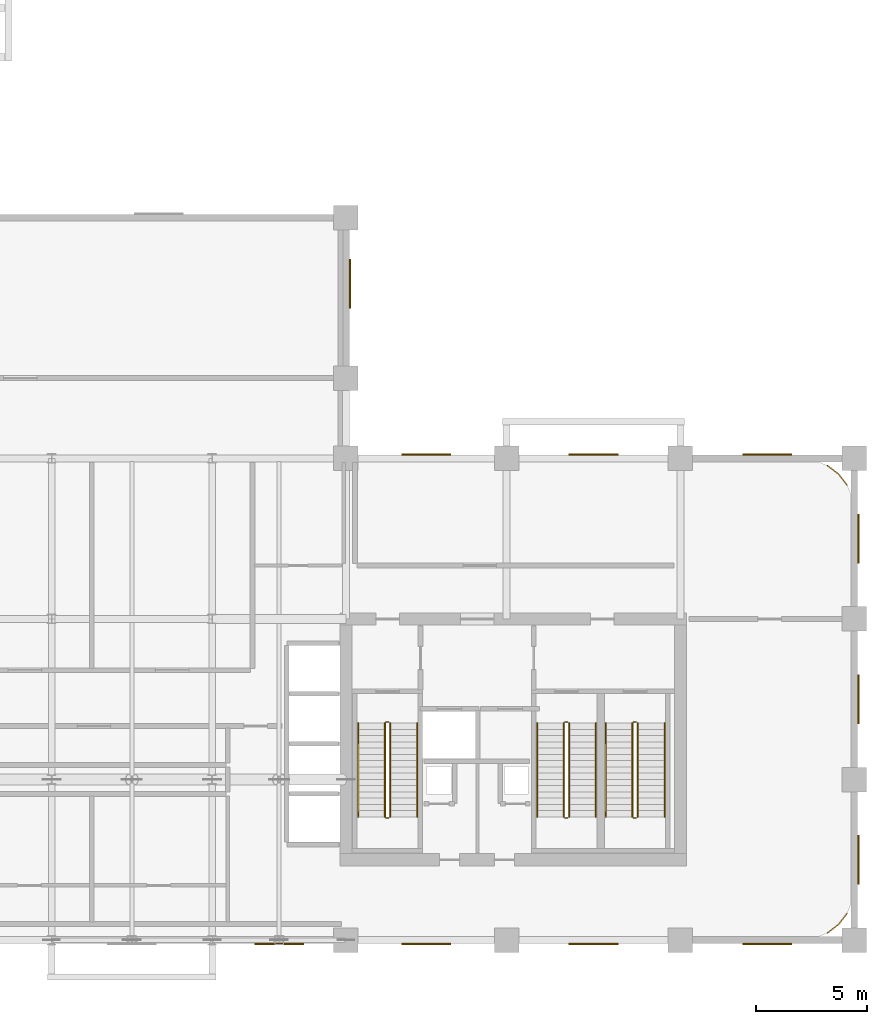
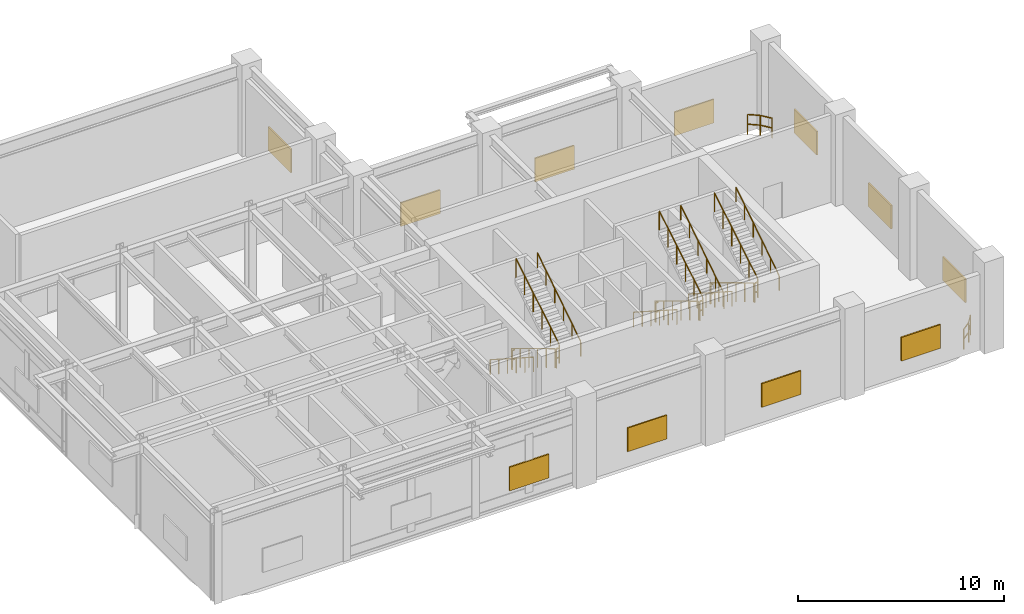
# One storey, part 11 of 12: 20 railings, 11 shading devices.
"""IFC4 building model written with IfcOpenShell, lengths in metres."""

from ifc_helpers import new_model, si_unit, derived_unit, direction, frame, origin, origin_2d, place, context, subcontext, project, spatial, rectangle, extrude, source, transform, mapped, material, layer, layer_set, type_object, type_shapes, element, save


model = new_model("IFC4")

# Units and contexts
model_context = context("Model", 3, precision=1e-05, world=origin(), true_north=direction((0.0, 1.0)))
body_context = subcontext(model_context, "Body", "Model", "MODEL_VIEW")
ifc_project = project(units=[si_unit("LENGTHUNIT", "METRE"), si_unit("AREAUNIT", "SQUARE_METRE"), si_unit("VOLUMEUNIT", "CUBIC_METRE"), si_unit("PLANEANGLEUNIT", "RADIAN"), si_unit("MASSUNIT", "GRAM", prefix="KILO"), si_unit("THERMODYNAMICTEMPERATUREUNIT", "KELVIN"), si_unit("POWERUNIT", "WATT"), derived_unit("THERMALTRANSMITTANCEUNIT", [(si_unit("POWERUNIT", "WATT"), 1), (si_unit("AREAUNIT", "SQUARE_METRE"), -1), (si_unit("THERMODYNAMICTEMPERATUREUNIT", "KELVIN"), -1)])], contexts=[model_context])

# Site, building, storey
site_placement = place(None, origin())
site = spatial("IfcSite", under=ifc_project, at=site_placement, CompositionType="ELEMENT")
building_placement = place(site_placement, origin())
building = spatial("IfcBuilding", under=site, at=building_placement, Name="Zahravan Archway Hotel and Residences", CompositionType="ELEMENT")
storey_placement = place(building_placement, frame((0.0, 0.0, 106.39990234375)))
storey = spatial("IfcBuildingStorey", under=building, at=storey_placement, Name="L26", CompositionType="ELEMENT", Elevation=106.39990234375)

# Railings
ifc_material_1 = material(Name="Painted Tubular Steel", Category="steel")
railing_type_1 = type_object("IfcRailingType", Name="RL-STG-1150", PredefinedType="GUARDRAIL", material=ifc_material_1)
railing_1_placement = place(storey_placement, frame((36.550048828125, 9.72998046875, 0.1689453125)))
element("IfcRailing", 1, at=railing_1_placement, inside=storey, type_object=railing_type_1, Name="L26 ST-A1 stair guard 1", PredefinedType="GUARDRAIL", context=body_context, shape_type="SweptSolid", body=[
    extrude(rectangle(XDim=0.048095703125, YDim=0.048095703125, at=origin_2d()), frame((0.0, 0.0, 1.1259765625), z_axis=(0.0, -0.856476492594, 0.516186030065), x_axis=(1.0, 0.0, 0.0)), (0.0, 0.0, 1.0), 4.90380859375),
    extrude(rectangle(XDim=0.0419921875, YDim=0.0419921875, at=origin_2d()), origin(), (0.0, 0.0, 1.0), 1.101806640625),
    extrude(rectangle(XDim=0.0419921875, YDim=0.0419921875, at=origin_2d()), frame((0.0, -0.840087890625, 0.50634765625)), (0.0, 0.0, 1.0), 1.101806640625),
    extrude(rectangle(XDim=0.0419921875, YDim=0.0419921875, at=origin_2d()), frame((0.0, -1.679931640625, 1.012451171875)), (0.0, 0.0, 1.0), 1.101806640625),
    extrude(rectangle(XDim=0.0419921875, YDim=0.0419921875, at=origin_2d()), frame((0.0, -2.52001953125, 1.518798828125)), (0.0, 0.0, 1.0), 1.101806640625),
    extrude(rectangle(XDim=0.0419921875, YDim=0.0419921875, at=origin_2d()), frame((0.0, -3.35986328125, 2.02490234375)), (0.0, 0.0, 1.0), 1.101806640625),
    extrude(rectangle(XDim=0.0419921875, YDim=0.0419921875, at=origin_2d()), frame((0.0, -4.199951171875, 2.53125)), (0.0, 0.0, 1.0), 1.101806640625),
])
railing_2_placement = place(storey_placement, frame((36.60009765625, 5.47998046875, 2.7001953125)))
element("IfcRailing", 2, at=railing_2_placement, inside=storey, type_object=railing_type_1, Name="L26 ST-A1 stair guard 2", PredefinedType="GUARDRAIL", context=body_context, shape_type="SweptSolid", body=[
    extrude(rectangle(XDim=0.048095703125, YDim=0.048095703125, at=origin_2d()), frame((0.0, 0.0, 1.1259765625), z_axis=(1.0, 0.0, 0.0), x_axis=(0.0, 1.0, 0.0)), (0.0, 0.0, 1.0), 0.139892578125),
    extrude(rectangle(XDim=0.048095703125, YDim=0.048095703125, at=origin_2d()), frame((0.0, 0.0, 0.574951171875), z_axis=(1.0, 0.0, 0.0), x_axis=(0.0, 1.0, 0.0)), (0.0, 0.0, 1.0), 0.139892578125),
    extrude(rectangle(XDim=0.0419921875, YDim=0.0419921875, at=origin_2d()), origin(), (0.0, 0.0, 1.0), 1.101806640625),
])
railing_3_placement = place(storey_placement, frame((36.7900390625, 5.530029296875, 2.868896484375)))
element("IfcRailing", 3, at=railing_3_placement, inside=storey, type_object=railing_type_1, Name="L26 ST-A1 stair guard 3", PredefinedType="GUARDRAIL", context=body_context, shape_type="SweptSolid", body=[
    extrude(rectangle(XDim=0.048095703125, YDim=0.048095703125, at=origin_2d()), frame((0.0, 0.0, 1.1259765625), z_axis=(0.0, 0.856476492594, 0.516186030065), x_axis=(-1.0, 0.0, 0.0)), (0.0, 0.0, 1.0), 4.90380859375),
    extrude(rectangle(XDim=0.0419921875, YDim=0.0419921875, at=origin_2d()), origin(), (0.0, 0.0, 1.0), 1.101806640625),
    extrude(rectangle(XDim=0.0419921875, YDim=0.0419921875, at=origin_2d()), frame((0.0, 0.840087890625, 0.50634765625)), (0.0, 0.0, 1.0), 1.101806640625),
    extrude(rectangle(XDim=0.0419921875, YDim=0.0419921875, at=origin_2d()), frame((0.0, 1.679931640625, 1.012451171875)), (0.0, 0.0, 1.0), 1.101806640625),
    extrude(rectangle(XDim=0.0419921875, YDim=0.0419921875, at=origin_2d()), frame((0.0, 2.52001953125, 1.518798828125)), (0.0, 0.0, 1.0), 1.101806640625),
    extrude(rectangle(XDim=0.0419921875, YDim=0.0419921875, at=origin_2d()), frame((0.0, 3.35986328125, 2.02490234375)), (0.0, 0.0, 1.0), 1.101806640625),
    extrude(rectangle(XDim=0.0419921875, YDim=0.0419921875, at=origin_2d()), frame((0.0, 4.199951171875, 2.53125)), (0.0, 0.0, 1.0), 1.101806640625),
])
railing_4_placement = place(storey_placement, frame((36.60009765625, 9.780029296875, 0.0)))
element("IfcRailing", 4, at=railing_4_placement, inside=storey, type_object=railing_type_1, Name="L26 ST-A1 stair guard 4", PredefinedType="GUARDRAIL", context=body_context, shape_type="SweptSolid", body=[
    extrude(rectangle(XDim=0.048095703125, YDim=0.048095703125, at=origin_2d()), frame((0.0, 0.0, 1.1259765625), z_axis=(1.0, 0.0, 0.0), x_axis=(0.0, 1.0, 0.0)), (0.0, 0.0, 1.0), 0.139892578125),
    extrude(rectangle(XDim=0.048095703125, YDim=0.048095703125, at=origin_2d()), frame((0.0, 0.0, 0.574951171875), z_axis=(1.0, 0.0, 0.0), x_axis=(0.0, 1.0, 0.0)), (0.0, 0.0, 1.0), 0.139892578125),
    extrude(rectangle(XDim=0.0419921875, YDim=0.0419921875, at=origin_2d()), origin(), (0.0, 0.0, 1.0), 1.101806640625),
])
railing_5_placement = place(storey_placement, frame((44.570068359375, 9.72998046875, 0.1689453125)))
element("IfcRailing", 5, at=railing_5_placement, inside=storey, type_object=railing_type_1, Name="L26 ST-A2 stair guard 1", PredefinedType="GUARDRAIL", context=body_context, shape_type="SweptSolid", body=[
    extrude(rectangle(XDim=0.048095703125, YDim=0.048095703125, at=origin_2d()), frame((0.0, 0.0, 1.1259765625), z_axis=(0.0, -0.856476492594, 0.516186030065), x_axis=(1.0, 0.0, 0.0)), (0.0, 0.0, 1.0), 4.90380859375),
    extrude(rectangle(XDim=0.0419921875, YDim=0.0419921875, at=origin_2d()), origin(), (0.0, 0.0, 1.0), 1.101806640625),
    extrude(rectangle(XDim=0.0419921875, YDim=0.0419921875, at=origin_2d()), frame((0.0, -0.840087890625, 0.50634765625)), (0.0, 0.0, 1.0), 1.101806640625),
    extrude(rectangle(XDim=0.0419921875, YDim=0.0419921875, at=origin_2d()), frame((0.0, -1.679931640625, 1.012451171875)), (0.0, 0.0, 1.0), 1.101806640625),
    extrude(rectangle(XDim=0.0419921875, YDim=0.0419921875, at=origin_2d()), frame((0.0, -2.52001953125, 1.518798828125)), (0.0, 0.0, 1.0), 1.101806640625),
    extrude(rectangle(XDim=0.0419921875, YDim=0.0419921875, at=origin_2d()), frame((0.0, -3.35986328125, 2.02490234375)), (0.0, 0.0, 1.0), 1.101806640625),
    extrude(rectangle(XDim=0.0419921875, YDim=0.0419921875, at=origin_2d()), frame((0.0, -4.199951171875, 2.53125)), (0.0, 0.0, 1.0), 1.101806640625),
])
railing_6_placement = place(storey_placement, frame((44.6201171875, 5.47998046875, 2.7001953125)))
element("IfcRailing", 6, at=railing_6_placement, inside=storey, type_object=railing_type_1, Name="L26 ST-A2 stair guard 2", PredefinedType="GUARDRAIL", context=body_context, shape_type="SweptSolid", body=[
    extrude(rectangle(XDim=0.048095703125, YDim=0.048095703125, at=origin_2d()), frame((0.0, 0.0, 1.1259765625), z_axis=(1.0, 0.0, 0.0), x_axis=(0.0, 1.0, 0.0)), (0.0, 0.0, 1.0), 0.139892578125),
    extrude(rectangle(XDim=0.048095703125, YDim=0.048095703125, at=origin_2d()), frame((0.0, 0.0, 0.574951171875), z_axis=(1.0, 0.0, 0.0), x_axis=(0.0, 1.0, 0.0)), (0.0, 0.0, 1.0), 0.139892578125),
    extrude(rectangle(XDim=0.0419921875, YDim=0.0419921875, at=origin_2d()), origin(), (0.0, 0.0, 1.0), 1.101806640625),
])
railing_7_placement = place(storey_placement, frame((44.81005859375, 5.530029296875, 2.868896484375)))
element("IfcRailing", 7, at=railing_7_placement, inside=storey, type_object=railing_type_1, Name="L26 ST-A2 stair guard 3", PredefinedType="GUARDRAIL", context=body_context, shape_type="SweptSolid", body=[
    extrude(rectangle(XDim=0.048095703125, YDim=0.048095703125, at=origin_2d()), frame((0.0, 0.0, 1.1259765625), z_axis=(0.0, 0.856476492594, 0.516186030065), x_axis=(-1.0, 0.0, 0.0)), (0.0, 0.0, 1.0), 4.90380859375),
    extrude(rectangle(XDim=0.0419921875, YDim=0.0419921875, at=origin_2d()), origin(), (0.0, 0.0, 1.0), 1.101806640625),
    extrude(rectangle(XDim=0.0419921875, YDim=0.0419921875, at=origin_2d()), frame((0.0, 0.840087890625, 0.50634765625)), (0.0, 0.0, 1.0), 1.101806640625),
    extrude(rectangle(XDim=0.0419921875, YDim=0.0419921875, at=origin_2d()), frame((0.0, 1.679931640625, 1.012451171875)), (0.0, 0.0, 1.0), 1.101806640625),
    extrude(rectangle(XDim=0.0419921875, YDim=0.0419921875, at=origin_2d()), frame((0.0, 2.52001953125, 1.518798828125)), (0.0, 0.0, 1.0), 1.101806640625),
    extrude(rectangle(XDim=0.0419921875, YDim=0.0419921875, at=origin_2d()), frame((0.0, 3.35986328125, 2.02490234375)), (0.0, 0.0, 1.0), 1.101806640625),
    extrude(rectangle(XDim=0.0419921875, YDim=0.0419921875, at=origin_2d()), frame((0.0, 4.199951171875, 2.53125)), (0.0, 0.0, 1.0), 1.101806640625),
])
railing_8_placement = place(storey_placement, frame((44.6201171875, 9.780029296875, 0.0)))
element("IfcRailing", 8, at=railing_8_placement, inside=storey, type_object=railing_type_1, Name="L26 ST-A2 stair guard 4", PredefinedType="GUARDRAIL", context=body_context, shape_type="SweptSolid", body=[
    extrude(rectangle(XDim=0.048095703125, YDim=0.048095703125, at=origin_2d()), frame((0.0, 0.0, 1.1259765625), z_axis=(1.0, 0.0, 0.0), x_axis=(0.0, 1.0, 0.0)), (0.0, 0.0, 1.0), 0.139892578125),
    extrude(rectangle(XDim=0.048095703125, YDim=0.048095703125, at=origin_2d()), frame((0.0, 0.0, 0.574951171875), z_axis=(1.0, 0.0, 0.0), x_axis=(0.0, 1.0, 0.0)), (0.0, 0.0, 1.0), 0.139892578125),
    extrude(rectangle(XDim=0.0419921875, YDim=0.0419921875, at=origin_2d()), origin(), (0.0, 0.0, 1.0), 1.101806640625),
])
railing_9_placement = place(storey_placement, frame((47.64990234375, 9.72998046875, 0.1689453125)))
element("IfcRailing", 9, at=railing_9_placement, inside=storey, type_object=railing_type_1, Name="L26 ST-A3 stair guard 1", PredefinedType="GUARDRAIL", context=body_context, shape_type="SweptSolid", body=[
    extrude(rectangle(XDim=0.048095703125, YDim=0.048095703125, at=origin_2d()), frame((0.0, 0.0, 1.1259765625), z_axis=(0.0, -0.856476492594, 0.516186030065), x_axis=(1.0, 0.0, 0.0)), (0.0, 0.0, 1.0), 4.90380859375),
    extrude(rectangle(XDim=0.0419921875, YDim=0.0419921875, at=origin_2d()), origin(), (0.0, 0.0, 1.0), 1.101806640625),
    extrude(rectangle(XDim=0.0419921875, YDim=0.0419921875, at=origin_2d()), frame((0.0, -0.840087890625, 0.50634765625)), (0.0, 0.0, 1.0), 1.101806640625),
    extrude(rectangle(XDim=0.0419921875, YDim=0.0419921875, at=origin_2d()), frame((0.0, -1.679931640625, 1.012451171875)), (0.0, 0.0, 1.0), 1.101806640625),
    extrude(rectangle(XDim=0.0419921875, YDim=0.0419921875, at=origin_2d()), frame((0.0, -2.52001953125, 1.518798828125)), (0.0, 0.0, 1.0), 1.101806640625),
    extrude(rectangle(XDim=0.0419921875, YDim=0.0419921875, at=origin_2d()), frame((0.0, -3.35986328125, 2.02490234375)), (0.0, 0.0, 1.0), 1.101806640625),
    extrude(rectangle(XDim=0.0419921875, YDim=0.0419921875, at=origin_2d()), frame((0.0, -4.199951171875, 2.53125)), (0.0, 0.0, 1.0), 1.101806640625),
])
railing_10_placement = place(storey_placement, frame((47.699951171875, 5.47998046875, 2.7001953125)))
element("IfcRailing", 10, at=railing_10_placement, inside=storey, type_object=railing_type_1, Name="L26 ST-A3 stair guard 2", PredefinedType="GUARDRAIL", context=body_context, shape_type="SweptSolid", body=[
    extrude(rectangle(XDim=0.048095703125, YDim=0.048095703125, at=origin_2d()), frame((0.0, 0.0, 1.1259765625), z_axis=(1.0, 0.0, 0.0), x_axis=(0.0, 1.0, 0.0)), (0.0, 0.0, 1.0), 0.14013671875),
    extrude(rectangle(XDim=0.048095703125, YDim=0.048095703125, at=origin_2d()), frame((0.0, 0.0, 0.574951171875), z_axis=(1.0, 0.0, 0.0), x_axis=(0.0, 1.0, 0.0)), (0.0, 0.0, 1.0), 0.14013671875),
    extrude(rectangle(XDim=0.0419921875, YDim=0.0419921875, at=origin_2d()), origin(), (0.0, 0.0, 1.0), 1.101806640625),
])
railing_11_placement = place(storey_placement, frame((47.889892578125, 5.530029296875, 2.868896484375)))
element("IfcRailing", 11, at=railing_11_placement, inside=storey, type_object=railing_type_1, Name="L26 ST-A3 stair guard 3", PredefinedType="GUARDRAIL", context=body_context, shape_type="SweptSolid", body=[
    extrude(rectangle(XDim=0.048095703125, YDim=0.048095703125, at=origin_2d()), frame((0.0, 0.0, 1.1259765625), z_axis=(0.0, 0.856476492594, 0.516186030065), x_axis=(-1.0, 0.0, 0.0)), (0.0, 0.0, 1.0), 4.90380859375),
    extrude(rectangle(XDim=0.0419921875, YDim=0.0419921875, at=origin_2d()), origin(), (0.0, 0.0, 1.0), 1.101806640625),
    extrude(rectangle(XDim=0.0419921875, YDim=0.0419921875, at=origin_2d()), frame((0.0, 0.840087890625, 0.50634765625)), (0.0, 0.0, 1.0), 1.101806640625),
    extrude(rectangle(XDim=0.0419921875, YDim=0.0419921875, at=origin_2d()), frame((0.0, 1.679931640625, 1.012451171875)), (0.0, 0.0, 1.0), 1.101806640625),
    extrude(rectangle(XDim=0.0419921875, YDim=0.0419921875, at=origin_2d()), frame((0.0, 2.52001953125, 1.518798828125)), (0.0, 0.0, 1.0), 1.101806640625),
    extrude(rectangle(XDim=0.0419921875, YDim=0.0419921875, at=origin_2d()), frame((0.0, 3.35986328125, 2.02490234375)), (0.0, 0.0, 1.0), 1.101806640625),
    extrude(rectangle(XDim=0.0419921875, YDim=0.0419921875, at=origin_2d()), frame((0.0, 4.199951171875, 2.53125)), (0.0, 0.0, 1.0), 1.101806640625),
])
railing_12_placement = place(storey_placement, frame((47.699951171875, 9.780029296875, 0.0)))
element("IfcRailing", 12, at=railing_12_placement, inside=storey, type_object=railing_type_1, Name="L26 ST-A3 stair guard 4", PredefinedType="GUARDRAIL", context=body_context, shape_type="SweptSolid", body=[
    extrude(rectangle(XDim=0.048095703125, YDim=0.048095703125, at=origin_2d()), frame((0.0, 0.0, 1.1259765625), z_axis=(1.0, 0.0, 0.0), x_axis=(0.0, 1.0, 0.0)), (0.0, 0.0, 1.0), 0.14013671875),
    extrude(rectangle(XDim=0.048095703125, YDim=0.048095703125, at=origin_2d()), frame((0.0, 0.0, 0.574951171875), z_axis=(1.0, 0.0, 0.0), x_axis=(0.0, 1.0, 0.0)), (0.0, 0.0, 1.0), 0.14013671875),
    extrude(rectangle(XDim=0.0419921875, YDim=0.0419921875, at=origin_2d()), origin(), (0.0, 0.0, 1.0), 1.101806640625),
])
ifc_material_2 = material(Name="Brushed Stainless Steel", Category="steel")
railing_type_2 = type_object("IfcRailingType", Name="RL-STH-900", PredefinedType="HANDRAIL", material=ifc_material_2)
railing_13_placement = place(storey_placement, frame((35.35009765625, 9.72998046875, 0.1689453125)))
element("IfcRailing", 13, at=railing_13_placement, inside=storey, type_object=railing_type_2, Name="L26 ST-A1 stair handrail 1", PredefinedType="HANDRAIL", context=body_context, shape_type="SweptSolid", body=[
    extrude(rectangle(XDim=0.048095703125, YDim=0.048095703125, at=origin_2d()), frame((0.0, 0.0, 0.8759765625), z_axis=(0.0, -0.841180064094, 0.540755119968), x_axis=(1.0, 0.0, 0.0)), (0.0, 0.0, 1.0), 4.992919921875),
    extrude(rectangle(XDim=0.0419921875, YDim=0.0419921875, at=origin_2d()), origin(), (0.0, 0.0, 1.0), 0.851806640625),
    extrude(rectangle(XDim=0.0419921875, YDim=0.0419921875, at=origin_2d()), frame((0.0, -0.840087890625, 0.5400390625)), (0.0, 0.0, 1.0), 0.851806640625),
    extrude(rectangle(XDim=0.0419921875, YDim=0.0419921875, at=origin_2d()), frame((0.0, -1.679931640625, 1.080078125)), (0.0, 0.0, 1.0), 0.851806640625),
    extrude(rectangle(XDim=0.0419921875, YDim=0.0419921875, at=origin_2d()), frame((0.0, -2.52001953125, 1.619873046875)), (0.0, 0.0, 1.0), 0.851806640625),
    extrude(rectangle(XDim=0.0419921875, YDim=0.0419921875, at=origin_2d()), frame((0.0, -3.35986328125, 2.159912109375)), (0.0, 0.0, 1.0), 0.851806640625),
    extrude(rectangle(XDim=0.0419921875, YDim=0.0419921875, at=origin_2d()), frame((0.0, -4.199951171875, 2.699951171875)), (0.0, 0.0, 1.0), 0.851806640625),
])
railing_14_placement = place(storey_placement, frame((37.989990234375, 5.530029296875, 2.868896484375)))
element("IfcRailing", 14, at=railing_14_placement, inside=storey, type_object=railing_type_2, Name="L26 ST-A1 stair handrail 2", PredefinedType="HANDRAIL", context=body_context, shape_type="SweptSolid", body=[
    extrude(rectangle(XDim=0.048095703125, YDim=0.048095703125, at=origin_2d()), frame((0.0, 0.0, 0.8759765625), z_axis=(0.0, 0.841180064094, 0.540755119968), x_axis=(-1.0, 0.0, 0.0)), (0.0, 0.0, 1.0), 4.992919921875),
    extrude(rectangle(XDim=0.0419921875, YDim=0.0419921875, at=origin_2d()), origin(), (0.0, 0.0, 1.0), 0.851806640625),
    extrude(rectangle(XDim=0.0419921875, YDim=0.0419921875, at=origin_2d()), frame((0.0, 0.840087890625, 0.5400390625)), (0.0, 0.0, 1.0), 0.851806640625),
    extrude(rectangle(XDim=0.0419921875, YDim=0.0419921875, at=origin_2d()), frame((0.0, 1.679931640625, 1.080078125)), (0.0, 0.0, 1.0), 0.851806640625),
    extrude(rectangle(XDim=0.0419921875, YDim=0.0419921875, at=origin_2d()), frame((0.0, 2.52001953125, 1.619873046875)), (0.0, 0.0, 1.0), 0.851806640625),
    extrude(rectangle(XDim=0.0419921875, YDim=0.0419921875, at=origin_2d()), frame((0.0, 3.35986328125, 2.159912109375)), (0.0, 0.0, 1.0), 0.851806640625),
    extrude(rectangle(XDim=0.0419921875, YDim=0.0419921875, at=origin_2d()), frame((0.0, 4.199951171875, 2.699951171875)), (0.0, 0.0, 1.0), 0.851806640625),
])
railing_15_placement = place(storey_placement, frame((43.3701171875, 9.72998046875, 0.1689453125)))
element("IfcRailing", 15, at=railing_15_placement, inside=storey, type_object=railing_type_2, Name="L26 ST-A2 stair handrail 1", PredefinedType="HANDRAIL", context=body_context, shape_type="SweptSolid", body=[
    extrude(rectangle(XDim=0.048095703125, YDim=0.048095703125, at=origin_2d()), frame((0.0, 0.0, 0.8759765625), z_axis=(0.0, -0.841180064094, 0.540755119968), x_axis=(1.0, 0.0, 0.0)), (0.0, 0.0, 1.0), 4.992919921875),
    extrude(rectangle(XDim=0.0419921875, YDim=0.0419921875, at=origin_2d()), origin(), (0.0, 0.0, 1.0), 0.851806640625),
    extrude(rectangle(XDim=0.0419921875, YDim=0.0419921875, at=origin_2d()), frame((0.0, -0.840087890625, 0.5400390625)), (0.0, 0.0, 1.0), 0.851806640625),
    extrude(rectangle(XDim=0.0419921875, YDim=0.0419921875, at=origin_2d()), frame((0.0, -1.679931640625, 1.080078125)), (0.0, 0.0, 1.0), 0.851806640625),
    extrude(rectangle(XDim=0.0419921875, YDim=0.0419921875, at=origin_2d()), frame((0.0, -2.52001953125, 1.619873046875)), (0.0, 0.0, 1.0), 0.851806640625),
    extrude(rectangle(XDim=0.0419921875, YDim=0.0419921875, at=origin_2d()), frame((0.0, -3.35986328125, 2.159912109375)), (0.0, 0.0, 1.0), 0.851806640625),
    extrude(rectangle(XDim=0.0419921875, YDim=0.0419921875, at=origin_2d()), frame((0.0, -4.199951171875, 2.699951171875)), (0.0, 0.0, 1.0), 0.851806640625),
])
railing_16_placement = place(storey_placement, frame((46.010009765625, 5.530029296875, 2.868896484375)))
element("IfcRailing", 16, at=railing_16_placement, inside=storey, type_object=railing_type_2, Name="L26 ST-A2 stair handrail 2", PredefinedType="HANDRAIL", context=body_context, shape_type="SweptSolid", body=[
    extrude(rectangle(XDim=0.048095703125, YDim=0.048095703125, at=origin_2d()), frame((0.0, 0.0, 0.8759765625), z_axis=(0.0, 0.841180064094, 0.540755119968), x_axis=(-1.0, 0.0, 0.0)), (0.0, 0.0, 1.0), 4.992919921875),
    extrude(rectangle(XDim=0.0419921875, YDim=0.0419921875, at=origin_2d()), origin(), (0.0, 0.0, 1.0), 0.851806640625),
    extrude(rectangle(XDim=0.0419921875, YDim=0.0419921875, at=origin_2d()), frame((0.0, 0.840087890625, 0.5400390625)), (0.0, 0.0, 1.0), 0.851806640625),
    extrude(rectangle(XDim=0.0419921875, YDim=0.0419921875, at=origin_2d()), frame((0.0, 1.679931640625, 1.080078125)), (0.0, 0.0, 1.0), 0.851806640625),
    extrude(rectangle(XDim=0.0419921875, YDim=0.0419921875, at=origin_2d()), frame((0.0, 2.52001953125, 1.619873046875)), (0.0, 0.0, 1.0), 0.851806640625),
    extrude(rectangle(XDim=0.0419921875, YDim=0.0419921875, at=origin_2d()), frame((0.0, 3.35986328125, 2.159912109375)), (0.0, 0.0, 1.0), 0.851806640625),
    extrude(rectangle(XDim=0.0419921875, YDim=0.0419921875, at=origin_2d()), frame((0.0, 4.199951171875, 2.699951171875)), (0.0, 0.0, 1.0), 0.851806640625),
])
railing_17_placement = place(storey_placement, frame((46.449951171875, 9.72998046875, 0.1689453125)))
element("IfcRailing", 17, at=railing_17_placement, inside=storey, type_object=railing_type_2, Name="L26 ST-A3 stair handrail 1", PredefinedType="HANDRAIL", context=body_context, shape_type="SweptSolid", body=[
    extrude(rectangle(XDim=0.048095703125, YDim=0.048095703125, at=origin_2d()), frame((0.0, 0.0, 0.8759765625), z_axis=(0.0, -0.841180064094, 0.540755119968), x_axis=(1.0, 0.0, 0.0)), (0.0, 0.0, 1.0), 4.992919921875),
    extrude(rectangle(XDim=0.0419921875, YDim=0.0419921875, at=origin_2d()), origin(), (0.0, 0.0, 1.0), 0.851806640625),
    extrude(rectangle(XDim=0.0419921875, YDim=0.0419921875, at=origin_2d()), frame((0.0, -0.840087890625, 0.5400390625)), (0.0, 0.0, 1.0), 0.851806640625),
    extrude(rectangle(XDim=0.0419921875, YDim=0.0419921875, at=origin_2d()), frame((0.0, -1.679931640625, 1.080078125)), (0.0, 0.0, 1.0), 0.851806640625),
    extrude(rectangle(XDim=0.0419921875, YDim=0.0419921875, at=origin_2d()), frame((0.0, -2.52001953125, 1.619873046875)), (0.0, 0.0, 1.0), 0.851806640625),
    extrude(rectangle(XDim=0.0419921875, YDim=0.0419921875, at=origin_2d()), frame((0.0, -3.35986328125, 2.159912109375)), (0.0, 0.0, 1.0), 0.851806640625),
    extrude(rectangle(XDim=0.0419921875, YDim=0.0419921875, at=origin_2d()), frame((0.0, -4.199951171875, 2.699951171875)), (0.0, 0.0, 1.0), 0.851806640625),
])
railing_18_placement = place(storey_placement, frame((49.090087890625, 5.530029296875, 2.868896484375)))
element("IfcRailing", 18, at=railing_18_placement, inside=storey, type_object=railing_type_2, Name="L26 ST-A3 stair handrail 2", PredefinedType="HANDRAIL", context=body_context, shape_type="SweptSolid", body=[
    extrude(rectangle(XDim=0.048095703125, YDim=0.048095703125, at=origin_2d()), frame((0.0, 0.0, 0.8759765625), z_axis=(0.0, 0.841180064094, 0.540755119968), x_axis=(-1.0, 0.0, 0.0)), (0.0, 0.0, 1.0), 4.992919921875),
    extrude(rectangle(XDim=0.0419921875, YDim=0.0419921875, at=origin_2d()), origin(), (0.0, 0.0, 1.0), 0.851806640625),
    extrude(rectangle(XDim=0.0419921875, YDim=0.0419921875, at=origin_2d()), frame((0.0, 0.840087890625, 0.5400390625)), (0.0, 0.0, 1.0), 0.851806640625),
    extrude(rectangle(XDim=0.0419921875, YDim=0.0419921875, at=origin_2d()), frame((0.0, 1.679931640625, 1.080078125)), (0.0, 0.0, 1.0), 0.851806640625),
    extrude(rectangle(XDim=0.0419921875, YDim=0.0419921875, at=origin_2d()), frame((0.0, 2.52001953125, 1.619873046875)), (0.0, 0.0, 1.0), 0.851806640625),
    extrude(rectangle(XDim=0.0419921875, YDim=0.0419921875, at=origin_2d()), frame((0.0, 3.35986328125, 2.159912109375)), (0.0, 0.0, 1.0), 0.851806640625),
    extrude(rectangle(XDim=0.0419921875, YDim=0.0419921875, at=origin_2d()), frame((0.0, 4.199951171875, 2.699951171875)), (0.0, 0.0, 1.0), 0.851806640625),
])
ifc_material_3 = material(Name="Architectural Bronze Terrace Guardrail")
railing_type_3 = type_object("IfcRailingType", Name="RL-TER-1200", PredefinedType="GUARDRAIL", material=ifc_material_3)
railing_19_placement = place(storey_placement, frame((56.39990234375, 0.321533203125, 0.0)))
element("IfcRailing", 19, at=railing_19_placement, inside=storey, type_object=railing_type_3, Name="L26 Balustrade RL-REFCRN-L26-4", PredefinedType="GUARDRAIL", context=body_context, shape_type="SweptSolid", body=[
    extrude(rectangle(XDim=0.048095703125, YDim=0.048095703125, at=origin_2d()), frame((0.0, 0.0, 1.17578125), z_axis=(0.793549926411, 0.608505147302, 0.0), x_axis=(-0.608505147302, 0.793549926411, 0.0)), (0.0, 0.0, 1.0), 0.626708984375),
    extrude(rectangle(XDim=0.048095703125, YDim=0.048095703125, at=origin_2d()), frame((0.0, 0.0, 0.60009765625), z_axis=(0.793549926411, 0.608505147302, 0.0), x_axis=(-0.608505147302, 0.793549926411, 0.0)), (0.0, 0.0, 1.0), 0.626708984375),
    extrude(rectangle(XDim=0.048095703125, YDim=0.048095703125, at=origin_2d()), frame((0.497314453125, 0.38134765625, 1.17578125), z_axis=(0.608693302629, 0.793405610854, 0.0), x_axis=(-0.793405610854, 0.608693302629, 0.0)), (0.0, 0.0, 1.0), 0.62646484375),
    extrude(rectangle(XDim=0.048095703125, YDim=0.048095703125, at=origin_2d()), frame((0.497314453125, 0.38134765625, 0.60009765625), z_axis=(0.608693302629, 0.793405610854, 0.0), x_axis=(-0.793405610854, 0.608693302629, 0.0)), (0.0, 0.0, 1.0), 0.62646484375),
    extrude(rectangle(XDim=0.0419921875, YDim=0.0419921875, at=origin_2d()), origin(), (0.0, 0.0, 1.0), 1.15185546875),
    extrude(rectangle(XDim=0.0419921875, YDim=0.0419921875, at=origin_2d()), frame((0.497314453125, 0.38134765625, 0.0)), (0.0, 0.0, 1.0), 1.15185546875),
    extrude(rectangle(XDim=0.0419921875, YDim=0.0419921875, at=origin_2d()), frame((0.878662109375, 0.87841796875, 0.0)), (0.0, 0.0, 1.0), 1.15185546875),
])
railing_20_placement = place(storey_placement, frame((57.278564453125, 20.39990234375, 0.0)))
element("IfcRailing", 20, at=railing_20_placement, inside=storey, type_object=railing_type_3, Name="L26 Balustrade RL-REFCRN-L26-5", PredefinedType="GUARDRAIL", context=body_context, shape_type="SweptSolid", body=[
    extrude(rectangle(XDim=0.048095703125, YDim=0.048095703125, at=origin_2d()), frame((0.0, 0.0, 1.17578125), z_axis=(-0.608505147302, 0.793549926411, 0.0), x_axis=(-0.793549926411, -0.608505147302, 0.0)), (0.0, 0.0, 1.0), 0.626708984375),
    extrude(rectangle(XDim=0.048095703125, YDim=0.048095703125, at=origin_2d()), frame((0.0, 0.0, 0.60009765625), z_axis=(-0.608505147302, 0.793549926411, 0.0), x_axis=(-0.793549926411, -0.608505147302, 0.0)), (0.0, 0.0, 1.0), 0.626708984375),
    extrude(rectangle(XDim=0.048095703125, YDim=0.048095703125, at=origin_2d()), frame((-0.38134765625, 0.497314453125, 1.17578125), z_axis=(-0.793549926411, 0.608505147302, 0.0), x_axis=(-0.608505147302, -0.793549926411, 0.0)), (0.0, 0.0, 1.0), 0.626708984375),
    extrude(rectangle(XDim=0.048095703125, YDim=0.048095703125, at=origin_2d()), frame((-0.38134765625, 0.497314453125, 0.60009765625), z_axis=(-0.793549926411, 0.608505147302, 0.0), x_axis=(-0.608505147302, -0.793549926411, 0.0)), (0.0, 0.0, 1.0), 0.626708984375),
    extrude(rectangle(XDim=0.0419921875, YDim=0.0419921875, at=origin_2d()), origin(), (0.0, 0.0, 1.0), 1.15185546875),
    extrude(rectangle(XDim=0.0419921875, YDim=0.0419921875, at=origin_2d()), frame((-0.38134765625, 0.497314453125, 0.0)), (0.0, 0.0, 1.0), 1.15185546875),
    extrude(rectangle(XDim=0.0419921875, YDim=0.0419921875, at=origin_2d()), frame((-0.878662109375, 0.878662109375, 0.0)), (0.0, 0.0, 1.0), 1.15185546875),
])

# Shading devices
ifc_material_4 = material(Name="Bronze Acoustic Intake Louvre")
ifc_layer = layer(ifc_material_4, 0.080078125, Name="Bronze Acoustic Intake Louvre")
ifc_layer_set = layer_set([ifc_layer], Name="Bronze Acoustic Intake Louvre")
shading_device_type = type_object("IfcShadingDeviceType", Name="SHD-LOUVRE-60", PredefinedType="USERDEFINED", material=ifc_layer_set)
shared_shape = source(origin(), body_context, "Body", "SweptSolid", [
    extrude(rectangle(XDim=2.199951171875, YDim=0.080078125, at=origin_2d()), origin(), (0.0, 0.0, 1.0), 1.39990234375),
])
type_shapes(shading_device_type, [shared_shape])
for number, where, z_axis, x_axis, name in (
    (21, (31.800048828125, -0.179931640625, 0.9501953125), (0.0, 0.0, 1.0), (1.0, 0.0, 0.0), "L26 Acoustic Plant Intake Louvre 03"),
    (22, (38.39990234375, -0.179931640625, 0.9501953125), (0.0, 0.0, 1.0), (1.0, 0.0, 0.0), "L26 Acoustic Plant Intake Louvre 04"),
    (23, (45.89990234375, -0.179931640625, 0.9501953125), (0.0, 0.0, 1.0), (1.0, 0.0, 0.0), "L26 Acoustic Plant Intake Louvre 05"),
    (24, (53.699951171875, -0.179931640625, 0.9501953125), (0.0, 0.0, 1.0), (1.0, 0.0, 0.0), "L26 Acoustic Plant Intake Louvre 06"),
    (25, (57.780029296875, 3.60009765625, 0.9501953125), (0.0, 0.0, 1.0), (0.0, 1.0, 0.0), "L26 Acoustic Plant Intake Louvre 07"),
    (26, (57.780029296875, 10.800048828125, 0.9501953125), (0.0, 0.0, 1.0), (0.0, 1.0, 0.0), "L26 Acoustic Plant Intake Louvre 08"),
    (27, (57.780029296875, 18.0, 0.9501953125), (0.0, 0.0, 1.0), (0.0, 1.0, 0.0), "L26 Acoustic Plant Intake Louvre 09"),
    (28, (38.39990234375, 21.780029296875, 0.9501953125), (0.0, 0.0, 1.0), (1.0, 0.0, 0.0), "L26 Acoustic Plant Intake Louvre 10"),
    (29, (45.89990234375, 21.780029296875, 0.9501953125), (0.0, 0.0, 1.0), (1.0, 0.0, 0.0), "L26 Acoustic Plant Intake Louvre 11"),
    (30, (53.699951171875, 21.780029296875, 0.9501953125), (0.0, 0.0, 1.0), (1.0, 0.0, 0.0), "L26 Acoustic Plant Intake Louvre 12"),
    (31, (34.97998046875, 29.430908203125, 0.9501953125), (0.0, 0.0, 1.0), (0.0, 1.0, 0.0), "L26 Acoustic Plant Intake Louvre 24"),
):
    element("IfcShadingDevice", number, at=place(storey_placement, frame(where, z_axis=z_axis, x_axis=x_axis)), inside=storey, type_object=shading_device_type, Name=name, ObjectType="LOUVER", PredefinedType="USERDEFINED", context=body_context, shape_type="MappedRepresentation", body=[
        mapped(shared_shape, transform((0.0, 0.0, 0.0), scale=1.0)),
    ])

save(model, "model.ifc")
